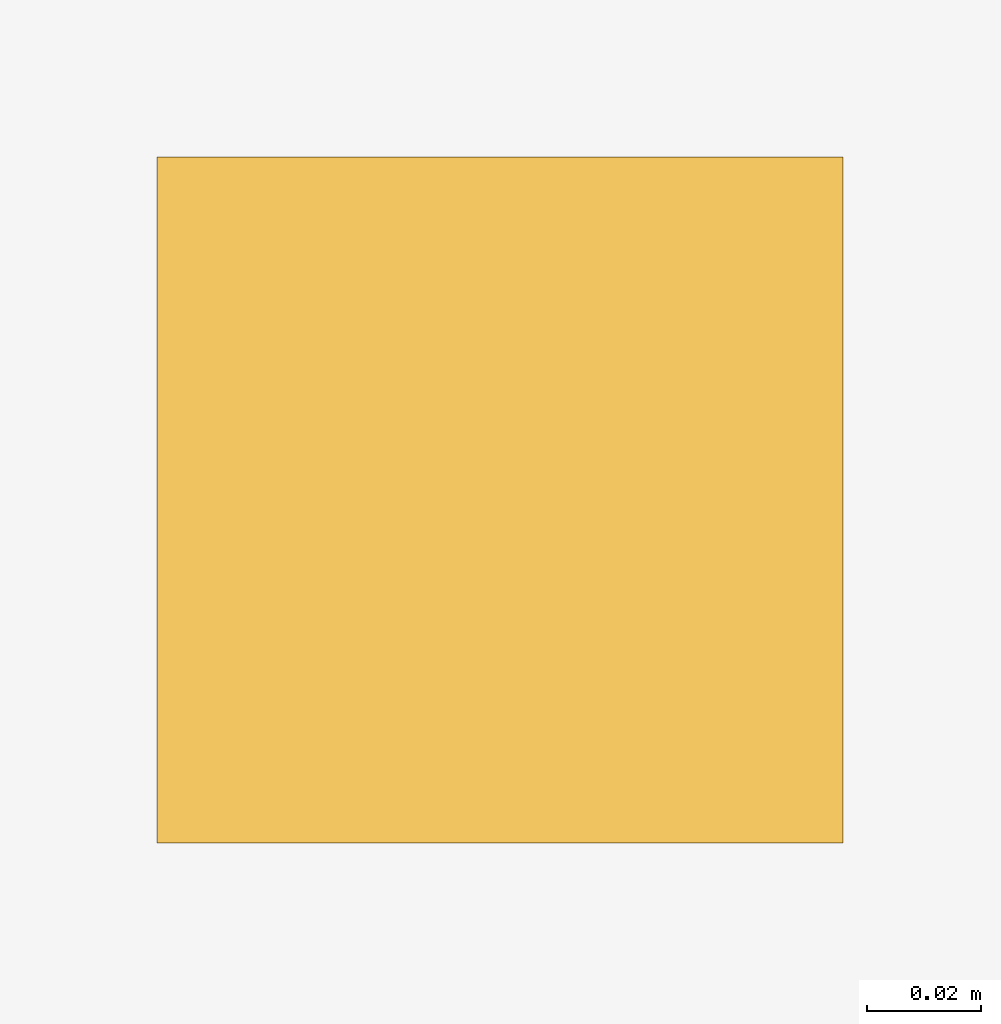
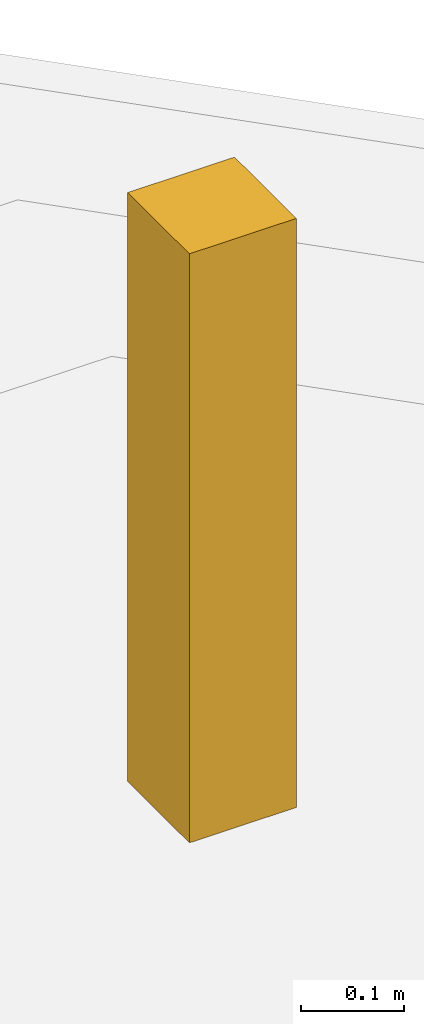
# One storey, part 17 of 20: 1 covering.
"""IFC4 building model written with IfcOpenShell, lengths in metres."""

from ifc_helpers import new_model, si_unit, direction, frame, origin, origin_2d, place, context, subcontext, project, spatial, rectangle, extrude, material, type_object, element, save


model = new_model("IFC4")

# Units and contexts
model_context = context("Model", 3, precision=1e-05, world=origin(), true_north=direction((0.0, 1.0)))
body_context = subcontext(model_context, "Body", "Model", "MODEL_VIEW")
ifc_project = project(units=[si_unit("LENGTHUNIT", "METRE"), si_unit("AREAUNIT", "SQUARE_METRE"), si_unit("VOLUMEUNIT", "CUBIC_METRE"), si_unit("PLANEANGLEUNIT", "RADIAN"), si_unit("MASSUNIT", "GRAM", prefix="KILO")], contexts=[model_context])

# Site, building, storey
site_placement = place(None, origin())
site = spatial("IfcSite", under=ifc_project, at=site_placement, CompositionType="ELEMENT")
building_placement = place(site_placement, origin())
building = spatial("IfcBuilding", under=site, at=building_placement, Name="Noorbagh Ring Tower", CompositionType="ELEMENT")
storey_placement = place(building_placement, frame((0.0, 0.0, 34.5)))
storey = spatial("IfcBuildingStorey", under=building, at=storey_placement, Name="L06", CompositionType="ELEMENT", Elevation=34.5)

# Covering
ifc_material = material(Name="Brass finial")
covering_type = type_object("IfcCoveringType", Name="STY-FINIAL", PredefinedType="ROOFING", material=ifc_material)
covering_placement = place(storey_placement, frame((0.0, -34.0, 1.5), z_axis=(0.0, 0.0, 1.0), x_axis=(1.0, 0.0, 0.0)))
element("IfcCovering", 1, at=covering_placement, inside=storey, type_object=covering_type, Name="Chhatri 4 finial", PredefinedType="ROOFING", context=body_context, shape_type="SweptSolid", body=[
    extrude(rectangle(XDim=0.1201171875, YDim=0.1201171875, at=origin_2d()), origin(), (0.0, 0.0, 1.0), 0.699951171875),
])

save(model, "model.ifc")
